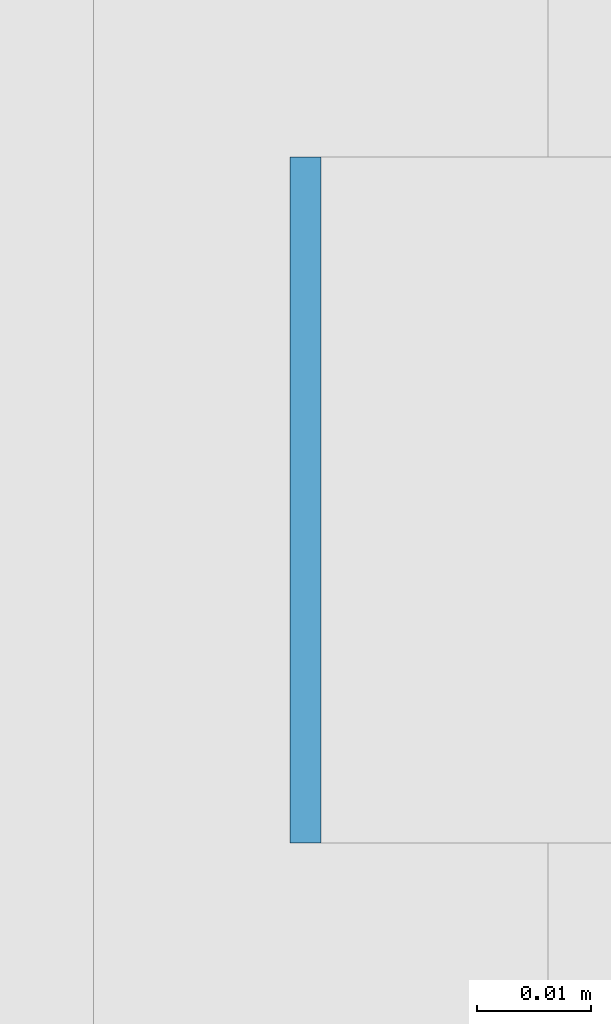
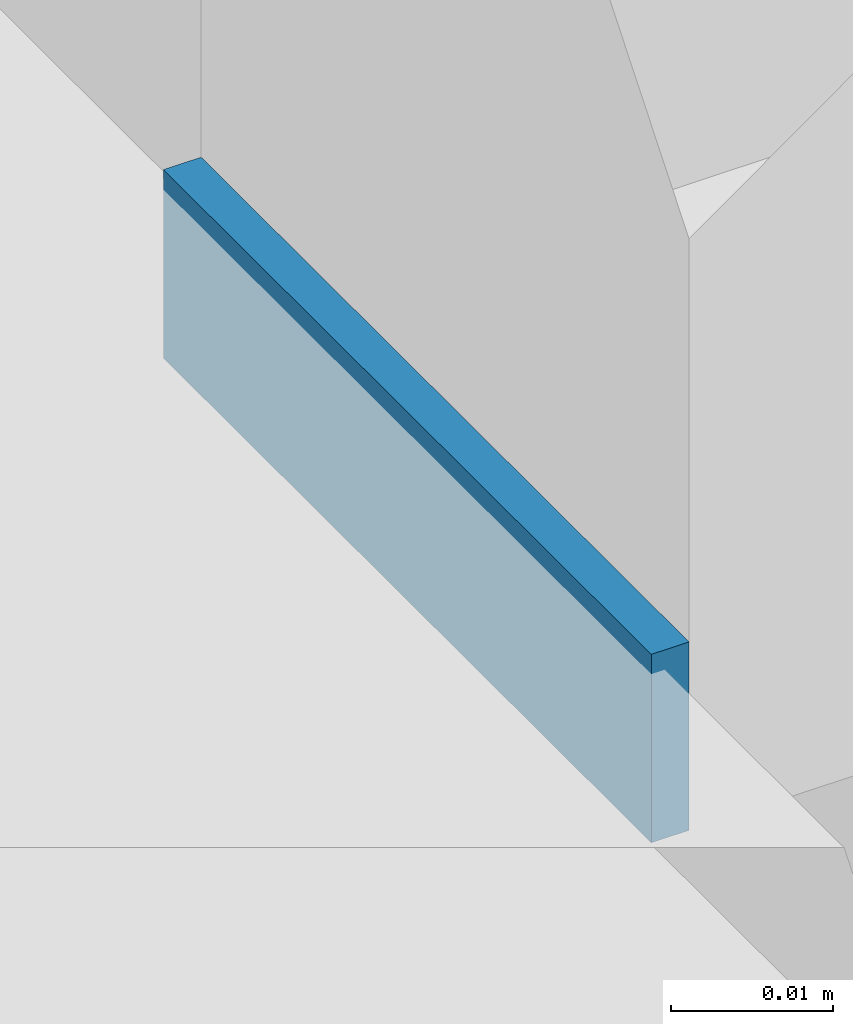
# One storey, part 544 of 646: 1 discrete accessory.
"""IFC4 building model written with IfcOpenShell, lengths in metres."""

from ifc_helpers import new_model, si_unit, direction, frame, origin, origin_2d, place, context, subcontext, project, spatial, rectangle, extrude, material, type_object, element, save


model = new_model("IFC4")

# Units and contexts
model_context = context("Model", 3, precision=1e-05, world=origin(), true_north=direction((0.0, 1.0)))
body_context = subcontext(model_context, "Body", "Model", "MODEL_VIEW")
ifc_project = project(units=[si_unit("LENGTHUNIT", "METRE"), si_unit("AREAUNIT", "SQUARE_METRE"), si_unit("VOLUMEUNIT", "CUBIC_METRE"), si_unit("PLANEANGLEUNIT", "RADIAN"), si_unit("MASSUNIT", "GRAM", prefix="KILO")], contexts=[model_context])

# Site, building, storey
site_placement = place(None, origin())
site = spatial("IfcSite", under=ifc_project, at=site_placement, CompositionType="ELEMENT")
building_placement = place(site_placement, origin())
building = spatial("IfcBuilding", under=site, at=building_placement, Name="Silverbay Arena", CompositionType="ELEMENT")
storey_placement = place(building_placement, frame((0.0, 0.0, 33.5)))
storey = spatial("IfcBuildingStorey", under=building, at=storey_placement, Name="L05", CompositionType="ELEMENT", Elevation=33.5)

# Discrete accessory
ifc_material = material(Name="Steel S355", Category="steel")
discrete_accessory_type = type_object("IfcDiscreteAccessoryType", Name="Steel bracket plate", PredefinedType="BRACKET", material=ifc_material)
discrete_accessory_placement = place(storey_placement, frame((207.128662109375, 91.28564453125, 4.0), z_axis=(0.0, 0.0, 1.0), x_axis=(1.0, 0.0, 0.0)))
element("IfcDiscreteAccessory", 1, at=discrete_accessory_placement, inside=storey, type_object=discrete_accessory_type, Name="Curtain wall packing plate", PredefinedType="BRACKET", context=body_context, shape_type="SweptSolid", body=[
    extrude(rectangle(XDim=0.002685546875, YDim=0.06005859375, at=origin_2d()), origin(), (0.0, 0.0, 1.0), 0.01416015625),
])

save(model, "model.ifc")
